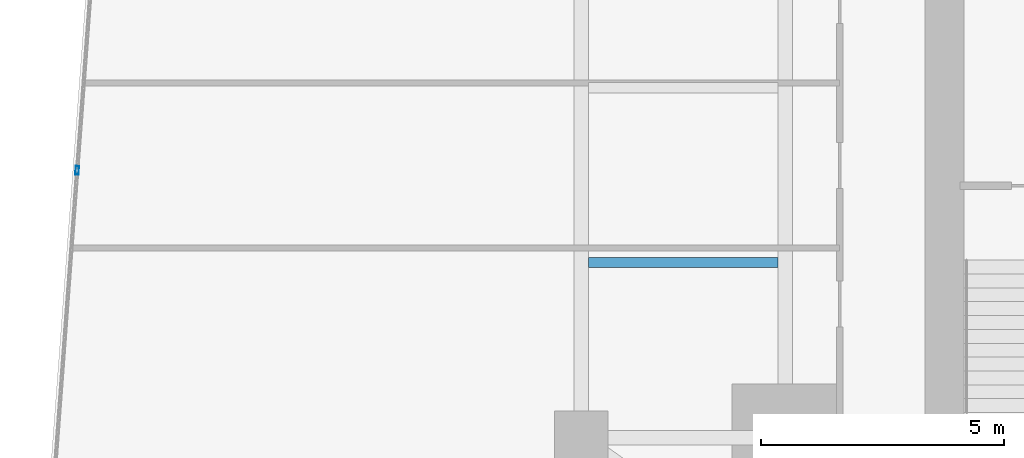
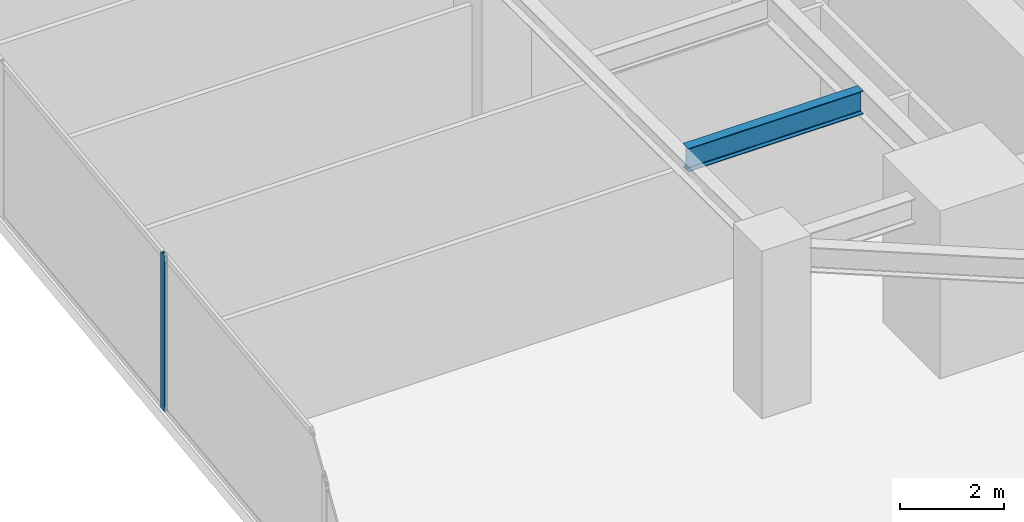
# One storey, part 8 of 30: 1 beam, 1 member, 1 element without a shape of its own.
"""IFC4 building model written with IfcOpenShell, lengths in metres."""

from ifc_helpers import new_model, si_unit, direction, frame, origin, origin_2d, place, context, subcontext, project, spatial, hollow_rectangle, i_section, extrude, source, transform, mapped, material, material_profile, profile_set, type_object, type_shapes, element, aggregate, save


model = new_model("IFC4")

# Units and contexts
model_context = context("Model", 3, precision=1e-05, world=origin(), true_north=direction((0.0, 1.0)))
body_context = subcontext(model_context, "Body", "Model", "MODEL_VIEW")
ifc_project = project(units=[si_unit("LENGTHUNIT", "METRE"), si_unit("AREAUNIT", "SQUARE_METRE"), si_unit("VOLUMEUNIT", "CUBIC_METRE"), si_unit("PLANEANGLEUNIT", "RADIAN"), si_unit("MASSUNIT", "GRAM", prefix="KILO")], contexts=[model_context])

# Site, building, storey
site_placement = place(None, origin())
site = spatial("IfcSite", under=ifc_project, at=site_placement, CompositionType="ELEMENT")
building_placement = place(site_placement, origin())
building = spatial("IfcBuilding", under=site, at=building_placement, Name="Krantzveldt Concourse Tower", CompositionType="ELEMENT")
storey_placement = place(building_placement, frame((0.0, 0.0, 52.64990234375)))
storey = spatial("IfcBuildingStorey", under=building, at=storey_placement, Name="L12", CompositionType="ELEMENT", Elevation=52.64990234375)

# Beam
ifc_material_1 = material(Name="Steel S355JR", Category="steel")
ifc_material_profile_1 = material_profile(ifc_material_1, i_section(OverallWidth=0.2099609375, OverallDepth=0.550048828125, WebThickness=0.010986328125, FlangeThickness=0.01708984375, FilletRadius=0.02392578125, at=origin_2d()), Name="Steel S355JR", Category="steel")
ifc_profile_set_1 = profile_set([ifc_material_profile_1], Name="Steel S355JR - IPE 550")
beam_type = type_object("IfcBeamType", Name="BM-J-IPE550", PredefinedType="JOIST", material=ifc_profile_set_1)
shared_shape_1 = source(origin(), body_context, "Body", "SweptSolid", [
    extrude(i_section(OverallWidth=0.2099609375, OverallDepth=0.550048828125, WebThickness=0.010986328125, FlangeThickness=0.01708984375, FilletRadius=0.02392578125, at=origin_2d()), origin(), (0.0, 0.0, 1.0), 3.900146484375),
])
type_shapes(beam_type, [shared_shape_1])
beam_placement = place(storey_placement, frame((21.14990234375, 19.5, 3.39501953125), z_axis=(1.0, 0.0, 0.0), x_axis=(0.0, 1.0, 0.0)))
element("IfcBeam", 1, at=beam_placement, inside=storey, type_object=beam_type, Name="L12 Secondary Floor Joist JW-1", PredefinedType="JOIST", context=body_context, shape_type="MappedRepresentation", body=[
    mapped(shared_shape_1, transform((0.0, 0.0, 0.0), x_axis=(1.0, 0.0, 0.0), y_axis=(0.0, 1.0, 0.0), z_axis=(0.0, 0.0, 1.0), scale=1.0)),
])

# Curtain wall, member
ifc_material_2 = material(Name="Anodised aluminium 6063-T6", Category="aluminium")
curtain_wall_type = type_object("IfcCurtainWallType", Name="CW2", PredefinedType="USERDEFINED", material=ifc_material_2)
curtain_wall_placement = place(storey_placement, origin())
curtain_wall = element("IfcCurtainWall", 2, at=curtain_wall_placement, inside=storey, type_object=curtain_wall_type, Name="CW-L12-F01", ObjectType="UNITISED CURTAIN WALL", PredefinedType="USERDEFINED")
ifc_material_profile_2 = material_profile(ifc_material_2, hollow_rectangle(XDim=0.070068359375, YDim=0.179931640625, WallThickness=0.0048828125, at=origin_2d()), Name="Anodised aluminium 6063-T6", Category="aluminium")
ifc_profile_set_2 = profile_set([ifc_material_profile_2], Name="Anodised aluminium 6063-T6 - ALU-MULL 180x70x5")
member_type = type_object("IfcMemberType", Name="CW-MUL-180", PredefinedType="MULLION", material=ifc_profile_set_2)
shared_shape_2 = source(origin(), body_context, "Body", "SweptSolid", [
    extrude(hollow_rectangle(XDim=0.070068359375, YDim=0.179931640625, WallThickness=0.0048828125, at=origin_2d()), origin(), (0.0, 0.0, 1.0), 3.670166015625),
])
type_shapes(member_type, [shared_shape_2])
member_placement = place(storey_placement, frame((10.62744140625, 21.399169921875, 0.0), z_axis=(0.0, 0.0, 1.0), x_axis=(0.997250176902, -0.07410860051, 0.0)))
member = element("IfcMember", 3, at=member_placement, type_object=member_type, Name="CW-Z12 mullion 5", PredefinedType="MULLION", context=body_context, shape_type="MappedRepresentation", body=[
    mapped(shared_shape_2, transform((0.0, 0.0, 0.0), x_axis=(1.0, 0.0, 0.0), y_axis=(0.0, 1.0, 0.0), z_axis=(0.0, 0.0, 1.0), scale=1.0)),
])
aggregate(curtain_wall, [member])

save(model, "model.ifc")
